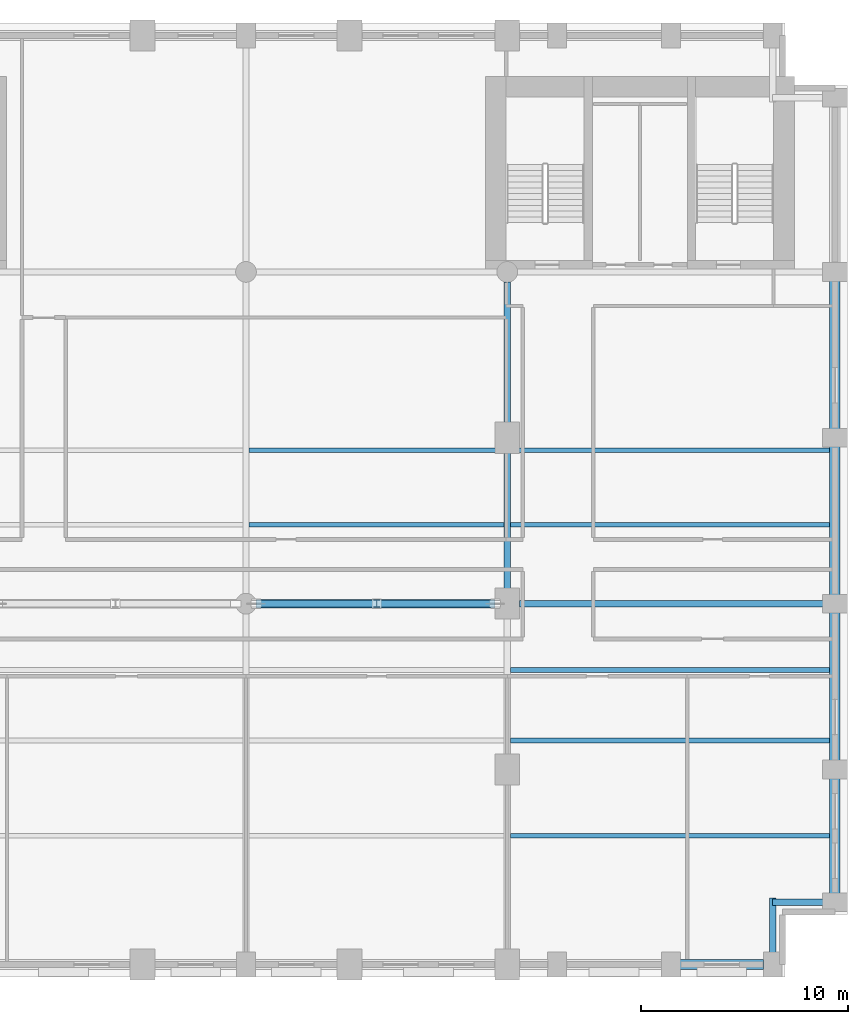
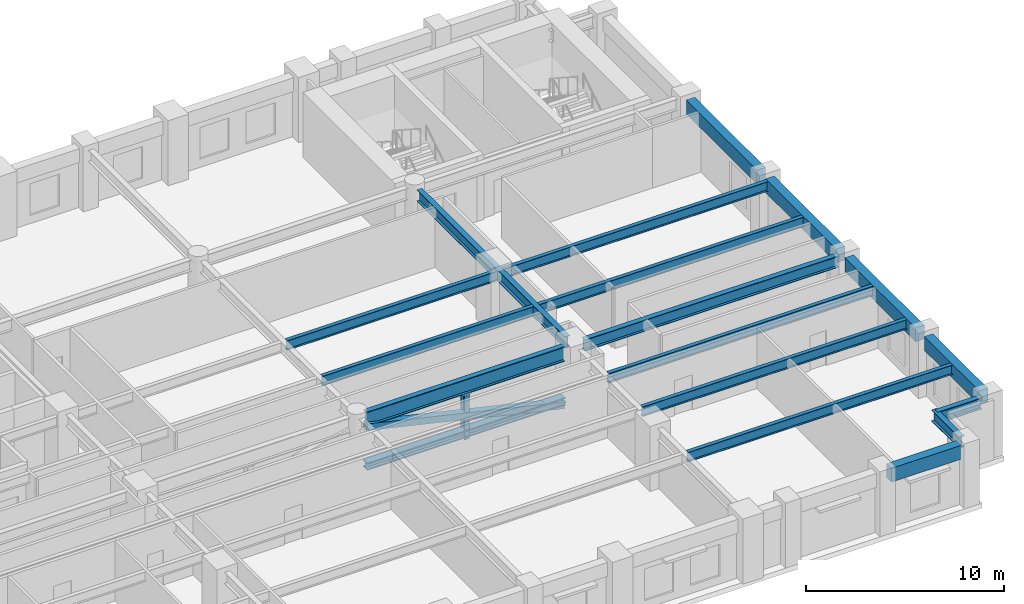
# One storey, part 3 of 11: 17 beams, 3 members.
"""IFC4 building model written with IfcOpenShell, lengths in metres."""

from ifc_helpers import new_model, si_unit, direction, frame, origin, origin_2d, place, context, subcontext, project, spatial, rectangle, hollow_rectangle, i_section, extrude, material, material_profile, profile_set, type_object, element, save


model = new_model("IFC4")

# Units and contexts
model_context = context("Model", 3, precision=1e-05, world=origin(), true_north=direction((0.0, 1.0)))
body_context = subcontext(model_context, "Body", "Model", "MODEL_VIEW")
ifc_project = project(units=[si_unit("LENGTHUNIT", "METRE"), si_unit("AREAUNIT", "SQUARE_METRE"), si_unit("VOLUMEUNIT", "CUBIC_METRE"), si_unit("PLANEANGLEUNIT", "RADIAN"), si_unit("MASSUNIT", "GRAM", prefix="KILO")], contexts=[model_context])

# Site, building, storey
site_placement = place(None, origin())
site = spatial("IfcSite", under=ifc_project, at=site_placement, CompositionType="ELEMENT")
building_placement = place(site_placement, origin())
building = spatial("IfcBuilding", under=site, at=building_placement, Name="Sulina Concourse Tower", CompositionType="ELEMENT")
storey_placement = place(building_placement, frame((0.0, 0.0, 46.60009765625)))
storey = spatial("IfcBuildingStorey", under=building, at=storey_placement, Name="L11", CompositionType="ELEMENT", Elevation=46.60009765625)

# Beams
ifc_material_1 = material(Name="Steel S355", Category="steel")
ifc_material_profile_1 = material_profile(ifc_material_1, i_section(OverallWidth=0.219970703125, OverallDepth=0.60009765625, WebThickness=0.011962890625, FlangeThickness=0.01904296875, at=origin_2d()), Name="IPE 600")
ifc_profile_set_1 = profile_set([ifc_material_profile_1], Name="Steel S355")
beam_type_1 = type_object("IfcBeamType", Name="Composite Floor Joist IPE600", PredefinedType="JOIST", material=ifc_profile_set_1)
for number, where, z_axis, x_axis, name in (
    (1, (41.75, 6.800048828125, 3.39990234375), (1.0, 0.0, 0.0), (0.0, 1.0, 0.0), "FJ-J06-4-L11"),
    (2, (41.75, 11.39990234375, 3.39990234375), (1.0, 0.0, 0.0), (0.0, 1.0, 0.0), "FJ-J11-4-L11"),
    (3, (41.75, 14.800048828125, 3.39990234375), (1.0, 0.0, 0.0), (0.0, 1.0, 0.0), "FJ-J15-4-L11"),
):
    element("IfcBeam", number, at=place(storey_placement, frame(where, z_axis=z_axis, x_axis=x_axis)), inside=storey, type_object=beam_type_1, Name=name, PredefinedType="JOIST", context=body_context, shape_type="SweptSolid", body=[
        extrude(i_section(OverallWidth=0.219970703125, OverallDepth=0.60009765625, WebThickness=0.011962890625, FlangeThickness=0.01904296875, at=origin_2d()), origin(), (0.0, 0.0, 1.0), 15.39990234375),
    ])
beam_1_placement = place(storey_placement, frame((29.14990234375, 21.800048828125, 3.39990234375), z_axis=(1.0, 0.0, 0.0), x_axis=(0.0, 1.0, 0.0)))
element("IfcBeam", 4, at=beam_1_placement, inside=storey, type_object=beam_type_1, Name="FJ-J22-3-L11", PredefinedType="JOIST", context=body_context, shape_type="SweptSolid", body=[
    extrude(i_section(OverallWidth=0.219970703125, OverallDepth=0.60009765625, WebThickness=0.011962890625, FlangeThickness=0.01904296875, at=origin_2d()), origin(), (0.0, 0.0, 1.0), 12.300048828125),
])
beam_2_placement = place(storey_placement, frame((41.75, 21.800048828125, 3.39990234375), z_axis=(1.0, 0.0, 0.0), x_axis=(0.0, 1.0, 0.0)))
element("IfcBeam", 5, at=beam_2_placement, inside=storey, type_object=beam_type_1, Name="FJ-J22-4-L11", PredefinedType="JOIST", context=body_context, shape_type="SweptSolid", body=[
    extrude(i_section(OverallWidth=0.219970703125, OverallDepth=0.60009765625, WebThickness=0.011962890625, FlangeThickness=0.01904296875, at=origin_2d()), origin(), (0.0, 0.0, 1.0), 15.39990234375),
])
beam_3_placement = place(storey_placement, frame((29.14990234375, 25.39990234375, 3.39990234375), z_axis=(1.0, 0.0, 0.0), x_axis=(0.0, 1.0, 0.0)))
element("IfcBeam", 6, at=beam_3_placement, inside=storey, type_object=beam_type_1, Name="FJ-J25-3-L11", PredefinedType="JOIST", context=body_context, shape_type="SweptSolid", body=[
    extrude(i_section(OverallWidth=0.219970703125, OverallDepth=0.60009765625, WebThickness=0.011962890625, FlangeThickness=0.01904296875, at=origin_2d()), origin(), (0.0, 0.0, 1.0), 12.300048828125),
])
beam_4_placement = place(storey_placement, frame((41.75, 25.39990234375, 3.39990234375), z_axis=(1.0, 0.0, 0.0), x_axis=(0.0, 1.0, 0.0)))
element("IfcBeam", 7, at=beam_4_placement, inside=storey, type_object=beam_type_1, Name="FJ-J25-4-L11", PredefinedType="JOIST", context=body_context, shape_type="SweptSolid", body=[
    extrude(i_section(OverallWidth=0.219970703125, OverallDepth=0.60009765625, WebThickness=0.011962890625, FlangeThickness=0.01904296875, at=origin_2d()), origin(), (0.0, 0.0, 1.0), 15.39990234375),
])
ifc_material_2 = material(Name="Steel S355", Category="steel")
ifc_material_profile_2 = material_profile(ifc_material_2, i_section(OverallWidth=0.300048828125, OverallDepth=0.699951171875, WebThickness=0.01708984375, FlangeThickness=0.031982421875, at=origin_2d()), Name="HE 700 B")
ifc_profile_set_2 = profile_set([ifc_material_profile_2], Name="Steel S355")
beam_type_2 = type_object("IfcBeamType", Name="Floor Primary Girder Zone 1 HE700B", PredefinedType="BEAM", material=ifc_profile_set_2)
beam_5_placement = place(storey_placement, frame((54.39990234375, 3.60009765625, 3.349853515625), z_axis=(1.0, 0.0, 0.0), x_axis=(0.0, 1.0, 0.0)))
element("IfcBeam", 8, at=beam_5_placement, inside=storey, type_object=beam_type_2, Name="TIE-SE-L11", PredefinedType="BEAM", context=body_context, shape_type="SweptSolid", body=[
    extrude(i_section(OverallWidth=0.300048828125, OverallDepth=0.699951171875, WebThickness=0.01708984375, FlangeThickness=0.031982421875, at=origin_2d()), origin(), (0.0, 0.0, 1.0), 2.570068359375),
])
beam_6_placement = place(storey_placement, frame((54.39990234375, 1.030029296875, 3.349853515625), z_axis=(0.0, 1.0, 0.0), x_axis=(-1.0, 0.0, 0.0)))
element("IfcBeam", 9, at=beam_6_placement, inside=storey, type_object=beam_type_2, Name="TIE-SES-L11", PredefinedType="BEAM", context=body_context, shape_type="SweptSolid", body=[
    extrude(i_section(OverallWidth=0.300048828125, OverallDepth=0.699951171875, WebThickness=0.01708984375, FlangeThickness=0.031982421875, at=origin_2d()), origin(), (0.0, 0.0, 1.0), 2.77001953125),
])
beam_7_placement = place(storey_placement, frame((42.179931640625, 18.0, 3.349853515625), z_axis=(1.0, 0.0, 0.0), x_axis=(0.0, 1.0, 0.0)))
element("IfcBeam", 10, at=beam_7_placement, inside=storey, type_object=beam_type_2, Name="FG-EW4-L11", PredefinedType="BEAM", context=body_context, shape_type="SweptSolid", body=[
    extrude(i_section(OverallWidth=0.300048828125, OverallDepth=0.699951171875, WebThickness=0.01708984375, FlangeThickness=0.031982421875, at=origin_2d()), origin(), (0.0, 0.0, 1.0), 14.7900390625),
])
beam_8_placement = place(storey_placement, frame((41.60009765625, 18.580078125, 3.349853515625), z_axis=(0.0, 1.0, 0.0), x_axis=(-1.0, 0.0, 0.0)))
element("IfcBeam", 11, at=beam_8_placement, inside=storey, type_object=beam_type_2, Name="FG-NSB-41-L11", PredefinedType="BEAM", context=body_context, shape_type="SweptSolid", body=[
    extrude(i_section(OverallWidth=0.300048828125, OverallDepth=0.699951171875, WebThickness=0.01708984375, FlangeThickness=0.031982421875, at=origin_2d()), origin(), (0.0, 0.0, 1.0), 14.93994140625),
])

# Member
ifc_material_3 = material(Name="Steel S355", Category="steel")
ifc_material_profile_3 = material_profile(ifc_material_3, i_section(OverallWidth=0.412109375, OverallDepth=0.449951171875, WebThickness=0.041015625, FlangeThickness=0.068115234375, at=origin_2d()), Name="HD 400x509")
ifc_profile_set_3 = profile_set([ifc_material_profile_3], Name="Steel S355")
member_type_1 = type_object("IfcMemberType", Name="Lower Bridge Truss Chord HD400x509", PredefinedType="CHORD", material=ifc_profile_set_3)
member_1_placement = place(storey_placement, frame((29.489990234375, 18.0, 0.369873046875), z_axis=(1.0, 0.0, 0.0), x_axis=(0.0, 1.0, 0.0)))
element("IfcMember", 12, at=member_1_placement, inside=storey, type_object=member_type_1, Name="LBT-CH-2-L11", PredefinedType="CHORD", context=body_context, shape_type="SweptSolid", body=[
    extrude(i_section(OverallWidth=0.412109375, OverallDepth=0.449951171875, WebThickness=0.041015625, FlangeThickness=0.068115234375, at=origin_2d()), origin(), (0.0, 0.0, 1.0), 11.52001953125),
])

# Beam
ifc_material_4 = material(Name="Steel S355", Category="steel")
ifc_material_profile_4 = material_profile(ifc_material_4, i_section(OverallWidth=0.302001953125, OverallDepth=0.909912109375, WebThickness=0.02099609375, FlangeThickness=0.0400390625, at=origin_2d()), Name="HE 900 M")
ifc_profile_set_4 = profile_set([ifc_material_profile_4], Name="Steel S355")
beam_type_3 = type_object("IfcBeamType", Name="Lower Portal Bridge Girder HE900M", PredefinedType="BEAM", material=ifc_profile_set_4)
beam_9_placement = place(storey_placement, frame((29.47998046875, 18.0, 3.244873046875), z_axis=(1.0, 0.0, 0.0), x_axis=(0.0, 1.0, 0.0)))
element("IfcBeam", 13, at=beam_9_placement, inside=storey, type_object=beam_type_3, Name="FG-EW3-L11", PredefinedType="BEAM", context=body_context, shape_type="SweptSolid", body=[
    extrude(i_section(OverallWidth=0.302001953125, OverallDepth=0.909912109375, WebThickness=0.02099609375, FlangeThickness=0.0400390625, at=origin_2d()), origin(), (0.0, 0.0, 1.0), 11.5400390625),
])

# Member
ifc_material_5 = material(Name="Steel S355", Category="steel")
ifc_material_profile_5 = material_profile(ifc_material_5, hollow_rectangle(XDim=0.39990234375, YDim=0.39990234375, WallThickness=0.02001953125, at=origin_2d()), Name="SHS 400x400x20")
ifc_profile_set_5 = profile_set([ifc_material_profile_5], Name="Steel S355")
member_type_2 = type_object("IfcMemberType", Name="Lower Portal Bridge Web Brace SHS400x400x20", PredefinedType="BRACE", material=ifc_profile_set_5)
member_2_placement = place(storey_placement, frame((41.010009765625, 18.0, 0.119873046875), z_axis=(-0.973992032443, 0.0, 0.226582260419), x_axis=(0.0, -1.0, 0.0)))
element("IfcMember", 14, at=member_2_placement, inside=storey, type_object=member_type_2, Name="LBT-DG-2-L11", PredefinedType="BRACE", context=body_context, shape_type="SweptSolid", body=[
    extrude(hollow_rectangle(XDim=0.39990234375, YDim=0.39990234375, WallThickness=0.02001953125, at=origin_2d()), origin(), (0.0, 0.0, 1.0), 11.82763671875),
])

# Beams
ifc_material_6 = material(Name="Precast concrete C50/60", Category="concrete")
ifc_material_profile_6 = material_profile(ifc_material_6, rectangle(XDim=0.5, YDim=0.85009765625, at=origin_2d()), Name="RC 500x850")
ifc_profile_set_6 = profile_set([ifc_material_profile_6], Name="Precast concrete C50/60")
beam_type_4 = type_object("IfcBeamType", Name="Lower Precast Spandrel Edge Beam 500x850", PredefinedType="BEAM", material=ifc_profile_set_6)
beam_10_placement = place(storey_placement, frame((49.929931640625, 0.60009765625, 3.27490234375), z_axis=(1.0, 0.0, 0.0), x_axis=(0.0, 1.0, 0.0)))
element("IfcBeam", 15, at=beam_10_placement, inside=storey, type_object=beam_type_4, Name="SP-S10-L11", PredefinedType="BEAM", context=body_context, shape_type="SweptSolid", body=[
    extrude(rectangle(XDim=0.5, YDim=0.85009765625, at=origin_2d()), origin(), (0.0, 0.0, 1.0), 4.0400390625),
])
beam_11_placement = place(storey_placement, frame((57.39990234375, 4.030029296875, 3.27490234375), z_axis=(0.0, 1.0, 0.0), x_axis=(-1.0, 0.0, 0.0)))
element("IfcBeam", 16, at=beam_11_placement, inside=storey, type_object=beam_type_4, Name="SP-E1-L11", PredefinedType="BEAM", context=body_context, shape_type="SweptSolid", body=[
    extrude(rectangle(XDim=0.5, YDim=0.85009765625, at=origin_2d()), origin(), (0.0, 0.0, 1.0), 5.5400390625),
])
for number, where, z_axis, x_axis, name in (
    (17, (57.39990234375, 10.429931640625, 3.27490234375), (0.0, 1.0, 0.0), (-1.0, 0.0, 0.0), "SP-E2-L11"),
    (18, (57.39990234375, 18.429931640625, 3.27490234375), (0.0, 1.0, 0.0), (-1.0, 0.0, 0.0), "SP-E3-L11"),
    (19, (57.39990234375, 26.429931640625, 3.27490234375), (0.0, 1.0, 0.0), (-1.0, 0.0, 0.0), "SP-E4-L11"),
):
    element("IfcBeam", number, at=place(storey_placement, frame(where, z_axis=z_axis, x_axis=x_axis)), inside=storey, type_object=beam_type_4, Name=name, PredefinedType="BEAM", context=body_context, shape_type="SweptSolid", body=[
        extrude(rectangle(XDim=0.5, YDim=0.85009765625, at=origin_2d()), origin(), (0.0, 0.0, 1.0), 7.14013671875),
    ])

# Member
ifc_material_7 = material(Name="Steel S355", Category="steel")
ifc_material_profile_7 = material_profile(ifc_material_7, i_section(OverallWidth=0.300048828125, OverallDepth=0.360107421875, WebThickness=0.012451171875, FlangeThickness=0.0224609375, at=origin_2d()), Name="HE 360 B")
ifc_profile_set_7 = profile_set([ifc_material_profile_7], Name="Steel S355")
member_type_3 = type_object("IfcMemberType", Name="Truss Vertical Post Strut HE360B", PredefinedType="STRUT", material=ifc_profile_set_7)
member_3_placement = place(storey_placement, frame((35.300048828125, 18.0, 0.0048828125), z_axis=(0.0, 0.0, 1.0), x_axis=(1.0, 0.0, 0.0)))
element("IfcMember", 20, at=member_3_placement, inside=storey, type_object=member_type_3, Name="LBT-VP-2-L11", PredefinedType="STRUT", context=body_context, shape_type="SweptSolid", body=[
    extrude(i_section(OverallWidth=0.300048828125, OverallDepth=0.360107421875, WebThickness=0.012451171875, FlangeThickness=0.0224609375, at=origin_2d()), origin(), (0.0, 0.0, 1.0), 2.794921875),
])

save(model, "model.ifc")
